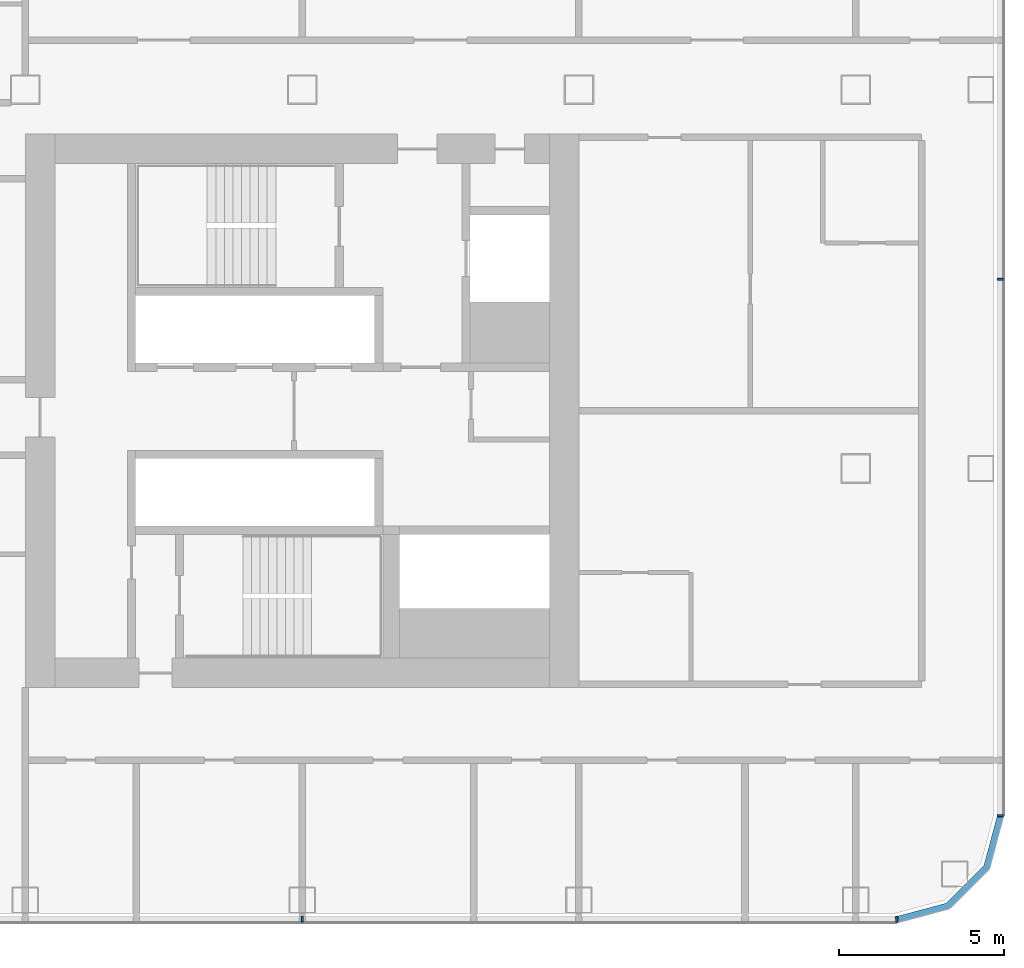
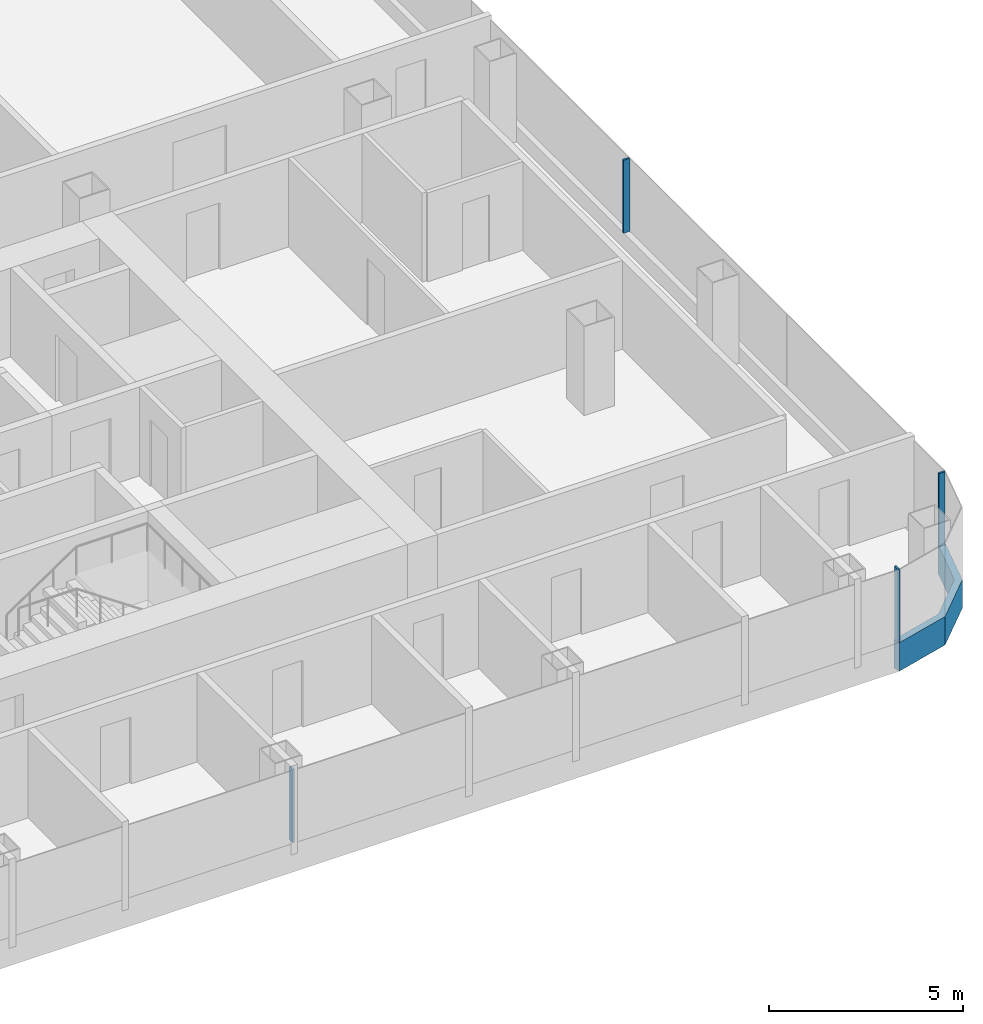
# One storey, part 11 of 29: 5 members, 3 elements without a shape of their own.
"""IFC4 building model written with IfcOpenShell, lengths in metres."""

from ifc_helpers import new_model, si_unit, direction, frame, origin, origin_2d, place, context, subcontext, project, spatial, polyline, rectangle, outline, extrude, material, layer, layer_set, material_profile, profile_set, type_object, element, aggregate, save


model = new_model("IFC4")

# Units and contexts
model_context = context("Model", 3, precision=1e-05, world=origin(), true_north=direction((0.0, 1.0)))
body_context = subcontext(model_context, "Body", "Model", "MODEL_VIEW")
ifc_project = project(units=[si_unit("LENGTHUNIT", "METRE"), si_unit("AREAUNIT", "SQUARE_METRE"), si_unit("VOLUMEUNIT", "CUBIC_METRE"), si_unit("PLANEANGLEUNIT", "RADIAN"), si_unit("MASSUNIT", "GRAM", prefix="KILO")], contexts=[model_context])

# Site, building, storey
site_placement = place(None, origin())
site = spatial("IfcSite", under=ifc_project, at=site_placement, CompositionType="ELEMENT")
building_placement = place(site_placement, origin())
building = spatial("IfcBuilding", under=site, at=building_placement, Name="Hakoniwa Tower and Hamabe Station Hall", CompositionType="ELEMENT")
storey_placement = place(building_placement, frame((0.0, 0.0, 110.60009765625)))
storey = spatial("IfcBuildingStorey", under=building, at=storey_placement, Name="L31", CompositionType="ELEMENT", Elevation=110.60009765625)

# Curtain wall, member
ifc_material_1 = material(Name="Dark low-e laminated glass", Category="glass")
ifc_layer = layer(ifc_material_1, 0.199951171875)
ifc_layer_set = layer_set([ifc_layer], Name="CW-1 UNITISED GUEST")
curtain_wall_type = type_object("IfcCurtainWallType", Name="CW-1 UNITISED GUEST", PredefinedType="NOTDEFINED", material=ifc_layer_set)
curtain_wall_1_placement = place(storey_placement, origin())
curtain_wall_1 = element("IfcCurtainWall", 1, at=curtain_wall_1_placement, inside=storey, type_object=curtain_wall_type, Name="CW-1 curtain wall", PredefinedType="NOTDEFINED")
ifc_material_2 = material(Name="Aluminium 6063-T5 black anodised", Category="aluminium")
ifc_material_profile_1 = material_profile(ifc_material_2, rectangle(XDim=0.199951171875, YDim=0.89990234375, at=origin_2d()), Name="CW SLAB-EDGE BAND 900X200")
ifc_profile_set_1 = profile_set([ifc_material_profile_1], Name="Aluminium 6063-T5 black anodised")
member_type_1 = type_object("IfcMemberType", Name="CW SLAB-EDGE BAND 900X200", PredefinedType="USERDEFINED", material=ifc_profile_set_1)
member_1_placement = place(storey_placement, frame((0.0, 0.0, -0.550048828125)))
member_1 = element("IfcMember", 2, at=member_1_placement, type_object=member_type_1, Name="CW-1 transom", ObjectType="TRANSOM", PredefinedType="USERDEFINED", context=body_context, shape_type="SweptSolid", body=[
    extrude(outline(polyline([(43.239501953125, -15.550048828125), (44.855224609375, -15.116943359375), (46.067138671875, -13.9052734375), (46.5, -12.28955078125), (46.306884765625, -12.23779296875), (45.8876953125, -13.8017578125), (44.751708984375, -14.937744140625), (43.187744140625, -15.35693359375), (43.239501953125, -15.550048828125)])), origin(), (0.0, 0.0, 1.0), 0.89990234375),
])
aggregate(curtain_wall_1, [member_1])

# Curtain wall, members
curtain_wall_2_placement = place(storey_placement, origin())
curtain_wall_2 = element("IfcCurtainWall", 3, at=curtain_wall_2_placement, inside=storey, type_object=curtain_wall_type, Name="CW-1 curtain wall", PredefinedType="NOTDEFINED")
ifc_material_3 = material(Name="Aluminium 6063-T5 black anodised", Category="aluminium")
ifc_material_profile_2 = material_profile(ifc_material_3, rectangle(XDim=0.06005859375, YDim=0.179931640625, at=origin_2d()), Name="CW-1 MULLION 60X180")
ifc_profile_set_2 = profile_set([ifc_material_profile_2], Name="Aluminium 6063-T5 black anodised")
member_type_2 = type_object("IfcMemberType", Name="CW-1 MULLION 60X180", PredefinedType="MULLION", material=ifc_profile_set_2)
member_2_placement = place(storey_placement, frame((46.382080078125, -12.28955078125, 0.349853515625), z_axis=(0.0, 0.0, 1.0), x_axis=(0.0, 1.0, 0.0)))
member_2 = element("IfcMember", 4, at=member_2_placement, type_object=member_type_2, Name="CW-1 mullion", PredefinedType="MULLION", context=body_context, shape_type="SweptSolid", body=[
    extrude(rectangle(XDim=0.06005859375, YDim=0.179931640625, at=origin_2d()), origin(), (0.0, 0.0, 1.0), 2.300048828125),
])
member_3_placement = place(storey_placement, frame((46.382080078125, 4.0, 0.349853515625), z_axis=(0.0, 0.0, 1.0), x_axis=(0.0, 1.0, 0.0)))
member_3 = element("IfcMember", 5, at=member_3_placement, type_object=member_type_2, Name="CW-1 mullion", PredefinedType="MULLION", context=body_context, shape_type="SweptSolid", body=[
    extrude(rectangle(XDim=0.06005859375, YDim=0.179931640625, at=origin_2d()), origin(), (0.0, 0.0, 1.0), 2.300048828125),
])
aggregate(curtain_wall_2, [member_2, member_3])

curtain_wall_3_placement = place(storey_placement, origin())
curtain_wall_3 = element("IfcCurtainWall", 6, at=curtain_wall_3_placement, inside=storey, type_object=curtain_wall_type, Name="CW-1 curtain wall", PredefinedType="NOTDEFINED")
member_4_placement = place(storey_placement, frame((25.199951171875, -15.431884765625, 0.349853515625), z_axis=(0.0, 0.0, 1.0), x_axis=(1.0, 0.0, 0.0)))
member_4 = element("IfcMember", 7, at=member_4_placement, type_object=member_type_2, Name="CW-1 mullion", PredefinedType="MULLION", context=body_context, shape_type="SweptSolid", body=[
    extrude(rectangle(XDim=0.06005859375, YDim=0.179931640625, at=origin_2d()), origin(), (0.0, 0.0, 1.0), 2.300048828125),
])
member_5_placement = place(storey_placement, frame((43.239501953125, -15.431884765625, 0.349853515625), z_axis=(0.0, 0.0, 1.0), x_axis=(1.0, 0.0, 0.0)))
member_5 = element("IfcMember", 8, at=member_5_placement, type_object=member_type_2, Name="CW-1 mullion", PredefinedType="MULLION", context=body_context, shape_type="SweptSolid", body=[
    extrude(rectangle(XDim=0.06005859375, YDim=0.179931640625, at=origin_2d()), origin(), (0.0, 0.0, 1.0), 2.300048828125),
])
aggregate(curtain_wall_3, [member_4, member_5])

save(model, "model.ifc")
